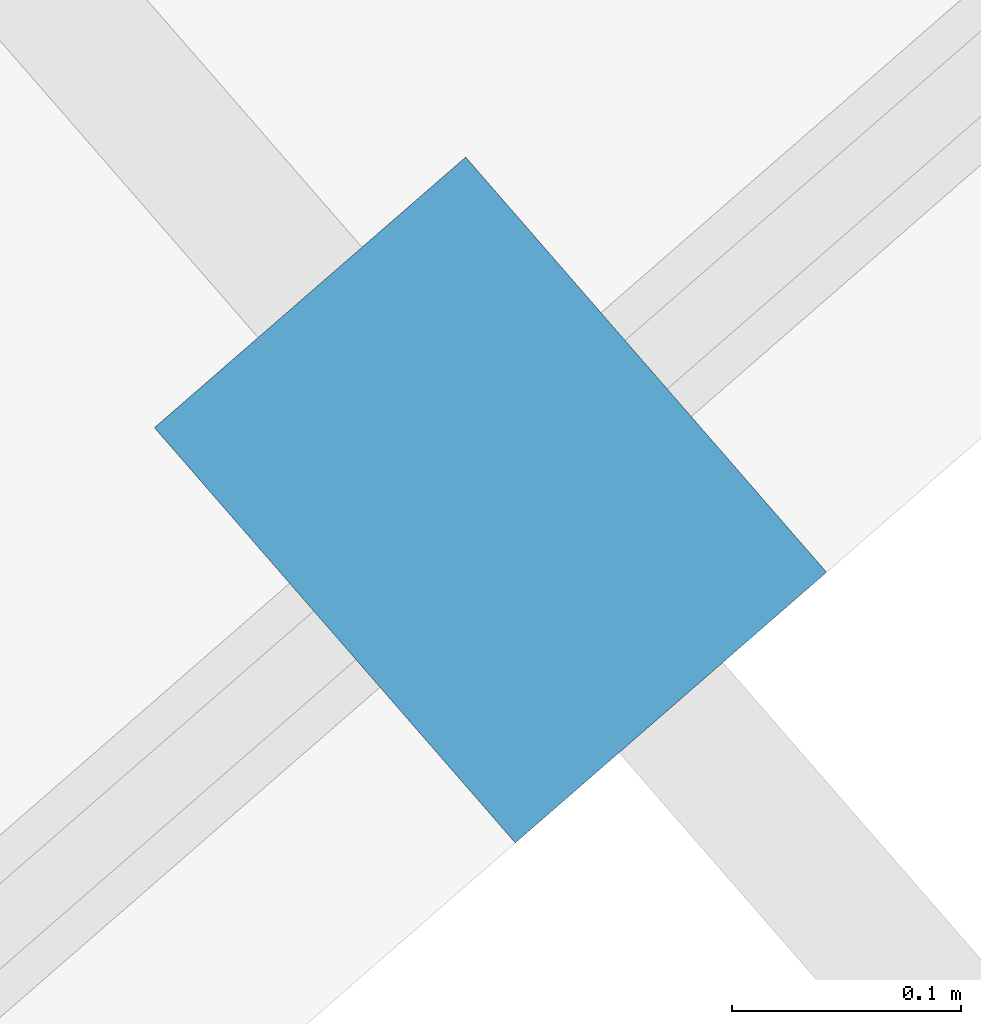
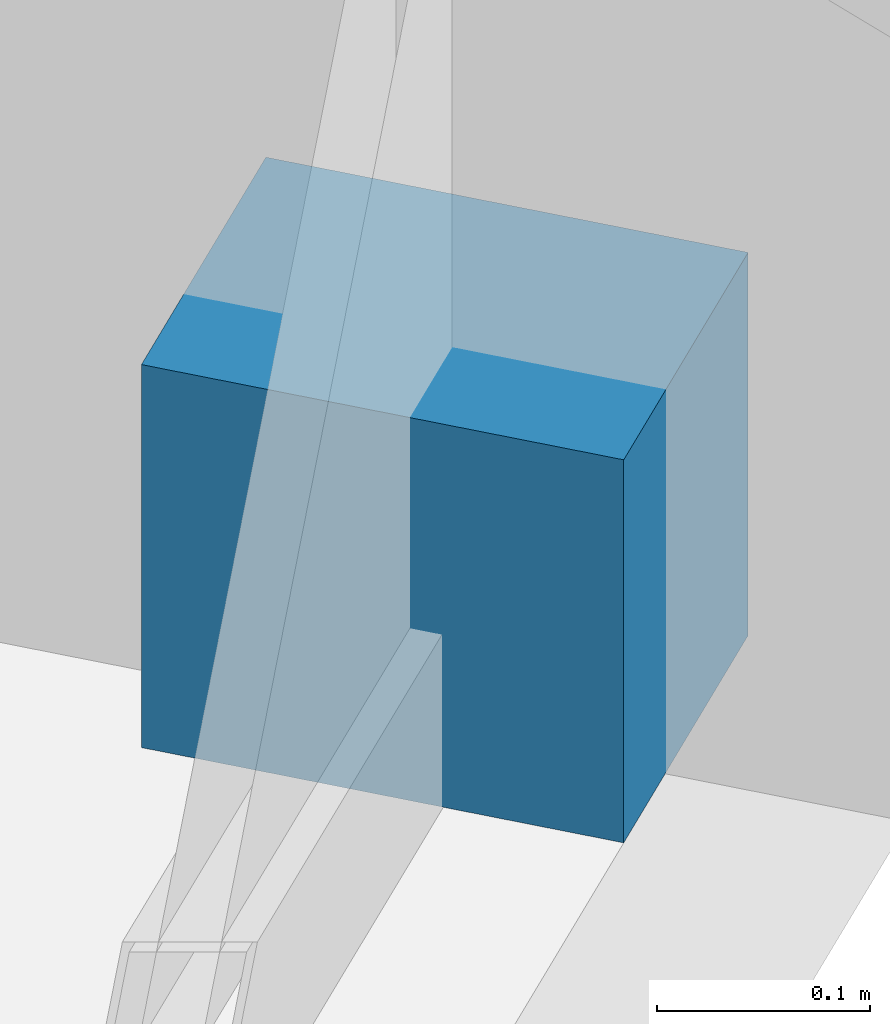
# One storey, part 22 of 25: 1 discrete accessory.
"""IFC4 building model written with IfcOpenShell, lengths in metres."""

from ifc_helpers import new_model, si_unit, direction, frame, origin, origin_2d, place, context, subcontext, project, spatial, rectangle, extrude, material, type_object, element, save


model = new_model("IFC4")

# Units and contexts
model_context = context("Model", 3, precision=1e-05, world=origin(), true_north=direction((0.0, 1.0)))
body_context = subcontext(model_context, "Body", "Model", "MODEL_VIEW")
ifc_project = project(units=[si_unit("LENGTHUNIT", "METRE"), si_unit("AREAUNIT", "SQUARE_METRE"), si_unit("VOLUMEUNIT", "CUBIC_METRE"), si_unit("PLANEANGLEUNIT", "RADIAN"), si_unit("MASSUNIT", "GRAM", prefix="KILO")], contexts=[model_context])

# Site, building, storey
site_placement = place(None, origin())
site = spatial("IfcSite", under=ifc_project, at=site_placement, CompositionType="ELEMENT")
building_placement = place(site_placement, origin())
building = spatial("IfcBuilding", under=site, at=building_placement, Name="Kravanh Interchange Tower", CompositionType="ELEMENT")
storey_placement = place(building_placement, frame((0.0, 0.0, 65.5)))
storey = spatial("IfcBuildingStorey", under=building, at=storey_placement, Name="L15", CompositionType="ELEMENT", Elevation=65.5)

# Discrete accessory
ifc_material = material(Name="Stainless Steel 316", Category="steel")
discrete_accessory_type = type_object("IfcDiscreteAccessoryType", Name="Solar Fin Curtain-Wall Mounting Bracket Stainless 316", PredefinedType="BRACKET", material=ifc_material)
discrete_accessory_placement = place(storey_placement, frame((62.16943359375, 2.328369140625, 0.0), z_axis=(0.0, 0.0, 1.0), x_axis=(0.656067828783, -0.754701930589, 0.0)))
element("IfcDiscreteAccessory", 1, at=discrete_accessory_placement, inside=storey, type_object=discrete_accessory_type, Name="L15 Solar Fin Mounting Bracket 2", PredefinedType="BRACKET", context=body_context, shape_type="SweptSolid", body=[
    extrude(rectangle(XDim=0.239990234375, YDim=0.179931640625, at=origin_2d()), origin(), (0.0, 0.0, 1.0), 0.219970703125),
])

save(model, "model.ifc")
